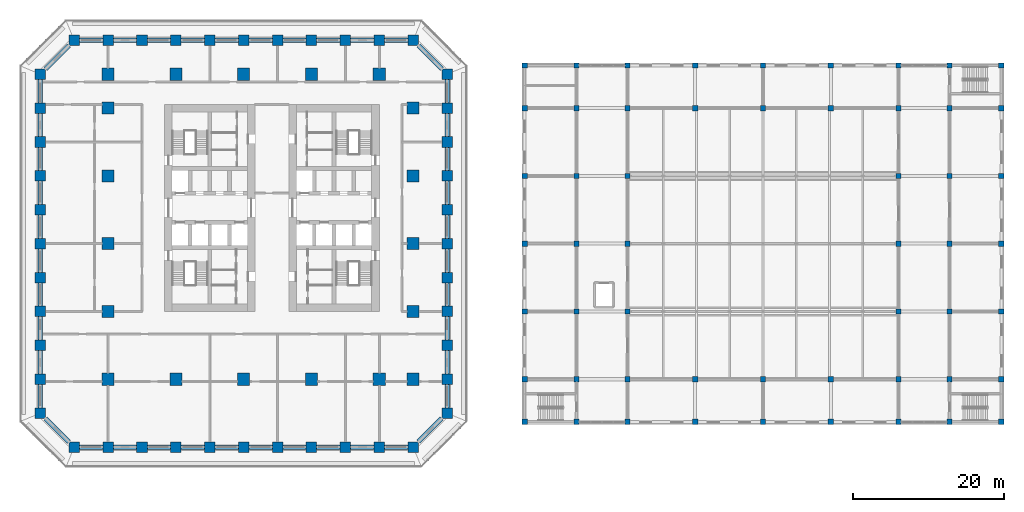
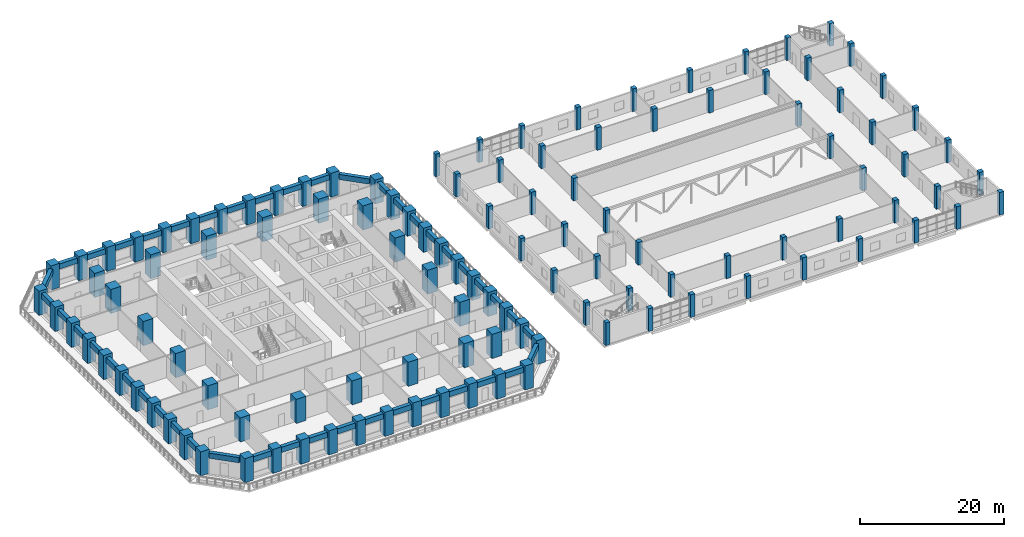
# One storey, part 1 of 42: 117 columns, 44 beams.
"""IFC4 building model written with IfcOpenShell, lengths in metres."""

from ifc_helpers import new_model, si_unit, direction, frame, origin, origin_2d, place, context, subcontext, project, spatial, rectangle, extrude, material, material_profile, profile_set, type_object, element, save


model = new_model("IFC4")

# Units and contexts
model_context = context("Model", 3, precision=1e-05, world=origin(), true_north=direction((0.0, 1.0)))
body_context = subcontext(model_context, "Body", "Model", "MODEL_VIEW")
ifc_project = project(units=[si_unit("LENGTHUNIT", "METRE"), si_unit("AREAUNIT", "SQUARE_METRE"), si_unit("VOLUMEUNIT", "CUBIC_METRE"), si_unit("PLANEANGLEUNIT", "RADIAN"), si_unit("MASSUNIT", "GRAM", prefix="KILO")], contexts=[model_context])

# Site, building, storey
site_placement = place(None, origin())
site = spatial("IfcSite", under=ifc_project, at=site_placement, CompositionType="ELEMENT")
building_placement = place(site_placement, origin())
building = spatial("IfcBuilding", under=site, at=building_placement, Name="Corbel Stack Research Tower", CompositionType="ELEMENT")
storey_placement = place(building_placement, frame((0.0, 0.0, 11.300048828125)))
storey = spatial("IfcBuildingStorey", under=building, at=storey_placement, Name="L02", CompositionType="ELEMENT", Elevation=11.300048828125)

# Columns
ifc_material_1 = material(Name="Concrete C70/85", Category="concrete")
ifc_material_profile_1 = material_profile(ifc_material_1, rectangle(XDim=1.39990234375, YDim=1.39990234375, at=origin_2d()), Name="RC 1400 x 1400")
ifc_profile_set_1 = profile_set([ifc_material_profile_1], Name="Concrete C70/85")
column_type_1 = type_object("IfcColumnType", Name="C-1400-70", PredefinedType="COLUMN", material=ifc_profile_set_1)
for number, where, z_axis, x_axis, name in (
    (1, (-27.0, -22.5, 0.0), (0.0, 0.0, 1.0), (1.0, 0.0, 0.0), "Column 2/C L02"),
    (2, (-27.0, -18.0, 0.0), (0.0, 0.0, 1.0), (1.0, 0.0, 0.0), "Column 2/D L02"),
    (3, (-27.0, -13.5, 0.0), (0.0, 0.0, 1.0), (1.0, 0.0, 0.0), "Column 2/E L02"),
    (4, (-27.0, -9.0, 0.0), (0.0, 0.0, 1.0), (1.0, 0.0, 0.0), "Column 2/F L02"),
    (5, (-27.0, -4.5, 0.0), (0.0, 0.0, 1.0), (1.0, 0.0, 0.0), "Column 2/G L02"),
    (6, (-27.0, 0.0, 0.0), (0.0, 0.0, 1.0), (1.0, 0.0, 0.0), "Column 2/H L02"),
    (7, (-27.0, 4.5, 0.0), (0.0, 0.0, 1.0), (1.0, 0.0, 0.0), "Column 2/J L02"),
    (8, (-27.0, 9.0, 0.0), (0.0, 0.0, 1.0), (1.0, 0.0, 0.0), "Column 2/K L02"),
    (9, (-27.0, 13.5, 0.0), (0.0, 0.0, 1.0), (1.0, 0.0, 0.0), "Column 2/L L02"),
    (10, (-27.0, 18.0, 0.0), (0.0, 0.0, 1.0), (1.0, 0.0, 0.0), "Column 2/M L02"),
    (11, (-27.0, 22.5, 0.0), (0.0, 0.0, 1.0), (1.0, 0.0, 0.0), "Column 2/N L02"),
    (12, (-22.5, -27.0, 0.0), (0.0, 0.0, 1.0), (1.0, 0.0, 0.0), "Column 3/B L02"),
    (13, (-22.5, 27.0, 0.0), (0.0, 0.0, 1.0), (1.0, 0.0, 0.0), "Column 3/P L02"),
    (14, (-18.0, -27.0, 0.0), (0.0, 0.0, 1.0), (1.0, 0.0, 0.0), "Column 4/B L02"),
    (15, (-18.0, 27.0, 0.0), (0.0, 0.0, 1.0), (1.0, 0.0, 0.0), "Column 4/P L02"),
    (16, (-13.5, -27.0, 0.0), (0.0, 0.0, 1.0), (1.0, 0.0, 0.0), "Column 5/B L02"),
    (17, (-13.5, 27.0, 0.0), (0.0, 0.0, 1.0), (1.0, 0.0, 0.0), "Column 5/P L02"),
    (18, (-9.0, -27.0, 0.0), (0.0, 0.0, 1.0), (1.0, 0.0, 0.0), "Column 6/B L02"),
    (19, (-9.0, 27.0, 0.0), (0.0, 0.0, 1.0), (1.0, 0.0, 0.0), "Column 6/P L02"),
    (20, (-4.5, -27.0, 0.0), (0.0, 0.0, 1.0), (1.0, 0.0, 0.0), "Column 7/B L02"),
    (21, (-4.5, 27.0, 0.0), (0.0, 0.0, 1.0), (1.0, 0.0, 0.0), "Column 7/P L02"),
    (22, (0.0, -27.0, 0.0), (0.0, 0.0, 1.0), (1.0, 0.0, 0.0), "Column 8/B L02"),
    (23, (0.0, 27.0, 0.0), (0.0, 0.0, 1.0), (1.0, 0.0, 0.0), "Column 8/P L02"),
    (24, (4.5, -27.0, 0.0), (0.0, 0.0, 1.0), (1.0, 0.0, 0.0), "Column 9/B L02"),
    (25, (4.5, 27.0, 0.0), (0.0, 0.0, 1.0), (1.0, 0.0, 0.0), "Column 9/P L02"),
    (26, (9.0, -27.0, 0.0), (0.0, 0.0, 1.0), (1.0, 0.0, 0.0), "Column 10/B L02"),
    (27, (9.0, 27.0, 0.0), (0.0, 0.0, 1.0), (1.0, 0.0, 0.0), "Column 10/P L02"),
    (28, (13.5, -27.0, 0.0), (0.0, 0.0, 1.0), (1.0, 0.0, 0.0), "Column 11/B L02"),
    (29, (13.5, 27.0, 0.0), (0.0, 0.0, 1.0), (1.0, 0.0, 0.0), "Column 11/P L02"),
    (30, (18.0, -27.0, 0.0), (0.0, 0.0, 1.0), (1.0, 0.0, 0.0), "Column 12/B L02"),
    (31, (18.0, 27.0, 0.0), (0.0, 0.0, 1.0), (1.0, 0.0, 0.0), "Column 12/P L02"),
    (32, (22.5, -27.0, 0.0), (0.0, 0.0, 1.0), (1.0, 0.0, 0.0), "Column 13/B L02"),
    (33, (22.5, 27.0, 0.0), (0.0, 0.0, 1.0), (1.0, 0.0, 0.0), "Column 13/P L02"),
    (34, (27.0, -22.5, 0.0), (0.0, 0.0, 1.0), (1.0, 0.0, 0.0), "Column 14/C L02"),
    (35, (27.0, -18.0, 0.0), (0.0, 0.0, 1.0), (1.0, 0.0, 0.0), "Column 14/D L02"),
    (36, (27.0, -13.5, 0.0), (0.0, 0.0, 1.0), (1.0, 0.0, 0.0), "Column 14/E L02"),
    (37, (27.0, -9.0, 0.0), (0.0, 0.0, 1.0), (1.0, 0.0, 0.0), "Column 14/F L02"),
    (38, (27.0, -4.5, 0.0), (0.0, 0.0, 1.0), (1.0, 0.0, 0.0), "Column 14/G L02"),
    (39, (27.0, 0.0, 0.0), (0.0, 0.0, 1.0), (1.0, 0.0, 0.0), "Column 14/H L02"),
    (40, (27.0, 4.5, 0.0), (0.0, 0.0, 1.0), (1.0, 0.0, 0.0), "Column 14/J L02"),
    (41, (27.0, 9.0, 0.0), (0.0, 0.0, 1.0), (1.0, 0.0, 0.0), "Column 14/K L02"),
    (42, (27.0, 13.5, 0.0), (0.0, 0.0, 1.0), (1.0, 0.0, 0.0), "Column 14/L L02"),
    (43, (27.0, 18.0, 0.0), (0.0, 0.0, 1.0), (1.0, 0.0, 0.0), "Column 14/M L02"),
    (44, (27.0, 22.5, 0.0), (0.0, 0.0, 1.0), (1.0, 0.0, 0.0), "Column 14/N L02"),
):
    element("IfcColumn", number, at=place(storey_placement, frame(where, z_axis=z_axis, x_axis=x_axis)), inside=storey, type_object=column_type_1, Name=name, PredefinedType="COLUMN", context=body_context, shape_type="SweptSolid", body=[
        extrude(rectangle(XDim=1.39990234375, YDim=1.39990234375, at=origin_2d()), origin(), (0.0, 0.0, 1.0), 4.099853515625),
    ])
ifc_material_2 = material(Name="Concrete C70/85", Category="concrete")
ifc_material_profile_2 = material_profile(ifc_material_2, rectangle(XDim=1.60009765625, YDim=1.60009765625, at=origin_2d()), Name="RC 1600 x 1600")
ifc_profile_set_2 = profile_set([ifc_material_profile_2], Name="Concrete C70/85")
column_type_2 = type_object("IfcColumnType", Name="C-1600-70", PredefinedType="COLUMN", material=ifc_profile_set_2)
for number, where, z_axis, x_axis, name in (
    (45, (-18.0, -18.0, 0.0), (0.0, 0.0, 1.0), (1.0, 0.0, 0.0), "Column 4/D L02"),
    (46, (-18.0, -9.0, 0.0), (0.0, 0.0, 1.0), (1.0, 0.0, 0.0), "Column 4/F L02"),
    (47, (-18.0, 0.0, 0.0), (0.0, 0.0, 1.0), (1.0, 0.0, 0.0), "Column 4/H L02"),
    (48, (-18.0, 9.0, 0.0), (0.0, 0.0, 1.0), (1.0, 0.0, 0.0), "Column 4/K L02"),
    (49, (-18.0, 18.0, 0.0), (0.0, 0.0, 1.0), (1.0, 0.0, 0.0), "Column 4/M L02"),
    (50, (-18.0, 22.5, 0.0), (0.0, 0.0, 1.0), (1.0, 0.0, 0.0), "Column 4/N L02"),
    (51, (-9.0, -18.0, 0.0), (0.0, 0.0, 1.0), (1.0, 0.0, 0.0), "Column 6/D L02"),
    (52, (-9.0, 22.5, 0.0), (0.0, 0.0, 1.0), (1.0, 0.0, 0.0), "Column 6/N L02"),
    (53, (0.0, -18.0, 0.0), (0.0, 0.0, 1.0), (1.0, 0.0, 0.0), "Column 8/D L02"),
    (54, (0.0, 22.5, 0.0), (0.0, 0.0, 1.0), (1.0, 0.0, 0.0), "Column 8/N L02"),
    (55, (9.0, -18.0, 0.0), (0.0, 0.0, 1.0), (1.0, 0.0, 0.0), "Column 10/D L02"),
    (56, (9.0, 22.5, 0.0), (0.0, 0.0, 1.0), (1.0, 0.0, 0.0), "Column 10/N L02"),
    (57, (18.0, -18.0, 0.0), (0.0, 0.0, 1.0), (1.0, 0.0, 0.0), "Column 12/D L02"),
    (58, (18.0, 22.5, 0.0), (0.0, 0.0, 1.0), (1.0, 0.0, 0.0), "Column 12/N L02"),
    (59, (22.5, -18.0, 0.0), (0.0, 0.0, 1.0), (1.0, 0.0, 0.0), "Column 13/D L02"),
    (60, (22.5, -9.0, 0.0), (0.0, 0.0, 1.0), (1.0, 0.0, 0.0), "Column 13/F L02"),
    (61, (22.5, 0.0, 0.0), (0.0, 0.0, 1.0), (1.0, 0.0, 0.0), "Column 13/H L02"),
    (62, (22.5, 9.0, 0.0), (0.0, 0.0, 1.0), (1.0, 0.0, 0.0), "Column 13/K L02"),
    (63, (22.5, 18.0, 0.0), (0.0, 0.0, 1.0), (1.0, 0.0, 0.0), "Column 13/M L02"),
):
    element("IfcColumn", number, at=place(storey_placement, frame(where, z_axis=z_axis, x_axis=x_axis)), inside=storey, type_object=column_type_2, Name=name, PredefinedType="COLUMN", context=body_context, shape_type="SweptSolid", body=[
        extrude(rectangle(XDim=1.60009765625, YDim=1.60009765625, at=origin_2d()), origin(), (0.0, 0.0, 1.0), 4.099853515625),
    ])
ifc_material_3 = material(Name="Concrete C50/60", Category="concrete")
ifc_material_profile_3 = material_profile(ifc_material_3, rectangle(XDim=0.699951171875, YDim=0.699951171875, at=origin_2d()), Name="RC 700 x 700")
ifc_profile_set_3 = profile_set([ifc_material_profile_3], Name="Concrete C50/60")
column_type_3 = type_object("IfcColumnType", Name="HC1 RC column 700 x 700", PredefinedType="COLUMN", material=ifc_profile_set_3)
for number, where, z_axis, x_axis, name in (
    (64, (37.300048828125, -23.64990234375, 0.0), (0.0, 0.0, 1.0), (1.0, 0.0, 0.0), "Column H1/HA L02"),
    (65, (37.300048828125, -18.0, 0.0), (0.0, 0.0, 1.0), (1.0, 0.0, 0.0), "Column H1/HB L02"),
    (66, (37.300048828125, -9.0, 0.0), (0.0, 0.0, 1.0), (1.0, 0.0, 0.0), "Column H1/HC L02"),
    (67, (37.300048828125, 0.0, 0.0), (0.0, 0.0, 1.0), (1.0, 0.0, 0.0), "Column H1/HD L02"),
    (68, (37.300048828125, 9.0, 0.0), (0.0, 0.0, 1.0), (1.0, 0.0, 0.0), "Column H1/HE L02"),
    (69, (37.300048828125, 18.0, 0.0), (0.0, 0.0, 1.0), (1.0, 0.0, 0.0), "Column H1/HF L02"),
    (70, (37.300048828125, 23.64990234375, 0.0), (0.0, 0.0, 1.0), (1.0, 0.0, 0.0), "Column H1/HG L02"),
    (71, (44.199951171875, -23.64990234375, 0.0), (0.0, 0.0, 1.0), (1.0, 0.0, 0.0), "Column H2/HA L02"),
    (72, (44.199951171875, -18.0, 0.0), (0.0, 0.0, 1.0), (1.0, 0.0, 0.0), "Column H2/HB L02"),
    (73, (44.199951171875, -9.0, 0.0), (0.0, 0.0, 1.0), (1.0, 0.0, 0.0), "Column H2/HC L02"),
    (74, (44.199951171875, 0.0, 0.0), (0.0, 0.0, 1.0), (1.0, 0.0, 0.0), "Column H2/HD L02"),
    (75, (44.199951171875, 9.0, 0.0), (0.0, 0.0, 1.0), (1.0, 0.0, 0.0), "Column H2/HE L02"),
    (76, (44.199951171875, 18.0, 0.0), (0.0, 0.0, 1.0), (1.0, 0.0, 0.0), "Column H2/HF L02"),
    (77, (44.199951171875, 23.64990234375, 0.0), (0.0, 0.0, 1.0), (1.0, 0.0, 0.0), "Column H2/HG L02"),
    (78, (50.949951171875, -23.64990234375, 0.0), (0.0, 0.0, 1.0), (1.0, 0.0, 0.0), "Column H3/HA L02"),
    (79, (50.949951171875, -18.0, 0.0), (0.0, 0.0, 1.0), (1.0, 0.0, 0.0), "Column H3/HB L02"),
    (80, (50.949951171875, -9.0, 0.0), (0.0, 0.0, 1.0), (1.0, 0.0, 0.0), "Column H3/HC L02"),
    (81, (50.949951171875, 0.0, 0.0), (0.0, 0.0, 1.0), (1.0, 0.0, 0.0), "Column H3/HD L02"),
    (82, (50.949951171875, 9.0, 0.0), (0.0, 0.0, 1.0), (1.0, 0.0, 0.0), "Column H3/HE L02"),
    (83, (50.949951171875, 18.0, 0.0), (0.0, 0.0, 1.0), (1.0, 0.0, 0.0), "Column H3/HF L02"),
    (84, (50.949951171875, 23.64990234375, 0.0), (0.0, 0.0, 1.0), (1.0, 0.0, 0.0), "Column H3/HG L02"),
    (85, (59.949951171875, -23.64990234375, 0.0), (0.0, 0.0, 1.0), (1.0, 0.0, 0.0), "Column H4/HA L02"),
    (86, (59.949951171875, -18.0, 0.0), (0.0, 0.0, 1.0), (1.0, 0.0, 0.0), "Column H4/HB L02"),
    (87, (59.949951171875, 18.0, 0.0), (0.0, 0.0, 1.0), (1.0, 0.0, 0.0), "Column H4/HF L02"),
    (88, (59.949951171875, 23.64990234375, 0.0), (0.0, 0.0, 1.0), (1.0, 0.0, 0.0), "Column H4/HG L02"),
    (89, (68.949951171875, -23.64990234375, 0.0), (0.0, 0.0, 1.0), (1.0, 0.0, 0.0), "Column H5/HA L02"),
    (90, (68.949951171875, -18.0, 0.0), (0.0, 0.0, 1.0), (1.0, 0.0, 0.0), "Column H5/HB L02"),
    (91, (68.949951171875, 18.0, 0.0), (0.0, 0.0, 1.0), (1.0, 0.0, 0.0), "Column H5/HF L02"),
    (92, (68.949951171875, 23.64990234375, 0.0), (0.0, 0.0, 1.0), (1.0, 0.0, 0.0), "Column H5/HG L02"),
    (93, (77.949951171875, -23.64990234375, 0.0), (0.0, 0.0, 1.0), (1.0, 0.0, 0.0), "Column H6/HA L02"),
    (94, (77.949951171875, -18.0, 0.0), (0.0, 0.0, 1.0), (1.0, 0.0, 0.0), "Column H6/HB L02"),
    (95, (77.949951171875, 18.0, 0.0), (0.0, 0.0, 1.0), (1.0, 0.0, 0.0), "Column H6/HF L02"),
    (96, (77.949951171875, 23.64990234375, 0.0), (0.0, 0.0, 1.0), (1.0, 0.0, 0.0), "Column H6/HG L02"),
    (97, (86.949951171875, -23.64990234375, 0.0), (0.0, 0.0, 1.0), (1.0, 0.0, 0.0), "Column H7/HA L02"),
    (98, (86.949951171875, -18.0, 0.0), (0.0, 0.0, 1.0), (1.0, 0.0, 0.0), "Column H7/HB L02"),
    (99, (86.949951171875, -9.0, 0.0), (0.0, 0.0, 1.0), (1.0, 0.0, 0.0), "Column H7/HC L02"),
    (100, (86.949951171875, 0.0, 0.0), (0.0, 0.0, 1.0), (1.0, 0.0, 0.0), "Column H7/HD L02"),
    (101, (86.949951171875, 9.0, 0.0), (0.0, 0.0, 1.0), (1.0, 0.0, 0.0), "Column H7/HE L02"),
    (102, (86.949951171875, 18.0, 0.0), (0.0, 0.0, 1.0), (1.0, 0.0, 0.0), "Column H7/HF L02"),
    (103, (86.949951171875, 23.64990234375, 0.0), (0.0, 0.0, 1.0), (1.0, 0.0, 0.0), "Column H7/HG L02"),
    (104, (93.699951171875, -23.64990234375, 0.0), (0.0, 0.0, 1.0), (1.0, 0.0, 0.0), "Column H8/HA L02"),
    (105, (93.699951171875, -18.0, 0.0), (0.0, 0.0, 1.0), (1.0, 0.0, 0.0), "Column H8/HB L02"),
    (106, (93.699951171875, -9.0, 0.0), (0.0, 0.0, 1.0), (1.0, 0.0, 0.0), "Column H8/HC L02"),
    (107, (93.699951171875, 0.0, 0.0), (0.0, 0.0, 1.0), (1.0, 0.0, 0.0), "Column H8/HD L02"),
    (108, (93.699951171875, 9.0, 0.0), (0.0, 0.0, 1.0), (1.0, 0.0, 0.0), "Column H8/HE L02"),
    (109, (93.699951171875, 18.0, 0.0), (0.0, 0.0, 1.0), (1.0, 0.0, 0.0), "Column H8/HF L02"),
    (110, (93.699951171875, 23.64990234375, 0.0), (0.0, 0.0, 1.0), (1.0, 0.0, 0.0), "Column H8/HG L02"),
    (111, (100.60009765625, -23.64990234375, 0.0), (0.0, 0.0, 1.0), (1.0, 0.0, 0.0), "Column H9/HA L02"),
    (112, (100.60009765625, -18.0, 0.0), (0.0, 0.0, 1.0), (1.0, 0.0, 0.0), "Column H9/HB L02"),
    (113, (100.60009765625, -9.0, 0.0), (0.0, 0.0, 1.0), (1.0, 0.0, 0.0), "Column H9/HC L02"),
    (114, (100.60009765625, 0.0, 0.0), (0.0, 0.0, 1.0), (1.0, 0.0, 0.0), "Column H9/HD L02"),
    (115, (100.60009765625, 9.0, 0.0), (0.0, 0.0, 1.0), (1.0, 0.0, 0.0), "Column H9/HE L02"),
    (116, (100.60009765625, 18.0, 0.0), (0.0, 0.0, 1.0), (1.0, 0.0, 0.0), "Column H9/HF L02"),
    (117, (100.60009765625, 23.64990234375, 0.0), (0.0, 0.0, 1.0), (1.0, 0.0, 0.0), "Column H9/HG L02"),
):
    element("IfcColumn", number, at=place(storey_placement, frame(where, z_axis=z_axis, x_axis=x_axis)), inside=storey, type_object=column_type_3, Name=name, PredefinedType="COLUMN", context=body_context, shape_type="SweptSolid", body=[
        extrude(rectangle(XDim=0.699951171875, YDim=0.699951171875, at=origin_2d()), origin(), (0.0, 0.0, 1.0), 3.849853515625),
    ])

# Beams
ifc_material_4 = material(Name="Concrete C60/75", Category="concrete")
ifc_material_profile_4 = material_profile(ifc_material_4, rectangle(XDim=0.60009765625, YDim=0.89990234375, at=origin_2d()), Name="RC 600 x 900")
ifc_profile_set_4 = profile_set([ifc_material_profile_4], Name="Concrete C60/75")
beam_type = type_object("IfcBeamType", Name="SB-600-900-450", PredefinedType="SPANDREL", material=ifc_profile_set_4)
for number, where, z_axis, x_axis, name in (
    (118, (-21.800048828125, -27.0, 3.199951171875), (1.0, 0.0, 0.0), (0.0, 1.0, 0.0), "Spandrel beam L02-01"),
    (119, (-17.300048828125, -27.0, 3.199951171875), (1.0, 0.0, 0.0), (0.0, 1.0, 0.0), "Spandrel beam L02-02"),
    (120, (-12.800048828125, -27.0, 3.199951171875), (1.0, 0.0, 0.0), (0.0, 1.0, 0.0), "Spandrel beam L02-03"),
    (121, (-8.300048828125, -27.0, 3.199951171875), (1.0, 0.0, 0.0), (0.0, 1.0, 0.0), "Spandrel beam L02-04"),
    (122, (-3.800048828125, -27.0, 3.199951171875), (1.0, 0.0, 0.0), (0.0, 1.0, 0.0), "Spandrel beam L02-05"),
    (123, (0.699951171875, -27.0, 3.199951171875), (1.0, 0.0, 0.0), (0.0, 1.0, 0.0), "Spandrel beam L02-06"),
    (124, (5.199951171875, -27.0, 3.199951171875), (1.0, 0.0, 0.0), (0.0, 1.0, 0.0), "Spandrel beam L02-07"),
    (125, (9.699951171875, -27.0, 3.199951171875), (1.0, 0.0, 0.0), (0.0, 1.0, 0.0), "Spandrel beam L02-08"),
    (126, (14.199951171875, -27.0, 3.199951171875), (1.0, 0.0, 0.0), (0.0, 1.0, 0.0), "Spandrel beam L02-09"),
    (127, (18.699951171875, -27.0, 3.199951171875), (1.0, 0.0, 0.0), (0.0, 1.0, 0.0), "Spandrel beam L02-10"),
):
    element("IfcBeam", number, at=place(storey_placement, frame(where, z_axis=z_axis, x_axis=x_axis)), inside=storey, type_object=beam_type, Name=name, PredefinedType="SPANDREL", context=body_context, shape_type="SweptSolid", body=[
        extrude(rectangle(XDim=0.60009765625, YDim=0.89990234375, at=origin_2d()), origin(), (0.0, 0.0, 1.0), 3.10009765625),
    ])
beam_1_placement = place(storey_placement, frame((23.199951171875, -26.300048828125, 3.199951171875), z_axis=(0.707106781187, 0.707106781187, 0.0), x_axis=(-0.707106781187, 0.707106781187, 0.0)))
element("IfcBeam", 128, at=beam_1_placement, inside=storey, type_object=beam_type, Name="Spandrel beam L02-11", PredefinedType="SPANDREL", context=body_context, shape_type="SweptSolid", body=[
    extrude(rectangle(XDim=0.60009765625, YDim=0.89990234375, at=origin_2d()), origin(), (0.0, 0.0, 1.0), 4.38427734375),
])
for number, where, z_axis, x_axis, name in (
    (129, (27.0, -21.800048828125, 3.199951171875), (0.0, 1.0, 0.0), (-1.0, 0.0, 0.0), "Spandrel beam L02-12"),
    (130, (27.0, -17.300048828125, 3.199951171875), (0.0, 1.0, 0.0), (-1.0, 0.0, 0.0), "Spandrel beam L02-13"),
    (131, (27.0, -12.800048828125, 3.199951171875), (0.0, 1.0, 0.0), (-1.0, 0.0, 0.0), "Spandrel beam L02-14"),
    (132, (27.0, -8.300048828125, 3.199951171875), (0.0, 1.0, 0.0), (-1.0, 0.0, 0.0), "Spandrel beam L02-15"),
    (133, (27.0, -3.800048828125, 3.199951171875), (0.0, 1.0, 0.0), (-1.0, 0.0, 0.0), "Spandrel beam L02-16"),
    (134, (27.0, 0.699951171875, 3.199951171875), (0.0, 1.0, 0.0), (-1.0, 0.0, 0.0), "Spandrel beam L02-17"),
    (135, (27.0, 5.199951171875, 3.199951171875), (0.0, 1.0, 0.0), (-1.0, 0.0, 0.0), "Spandrel beam L02-18"),
    (136, (27.0, 9.699951171875, 3.199951171875), (0.0, 1.0, 0.0), (-1.0, 0.0, 0.0), "Spandrel beam L02-19"),
    (137, (27.0, 14.199951171875, 3.199951171875), (0.0, 1.0, 0.0), (-1.0, 0.0, 0.0), "Spandrel beam L02-20"),
    (138, (27.0, 18.699951171875, 3.199951171875), (0.0, 1.0, 0.0), (-1.0, 0.0, 0.0), "Spandrel beam L02-21"),
):
    element("IfcBeam", number, at=place(storey_placement, frame(where, z_axis=z_axis, x_axis=x_axis)), inside=storey, type_object=beam_type, Name=name, PredefinedType="SPANDREL", context=body_context, shape_type="SweptSolid", body=[
        extrude(rectangle(XDim=0.60009765625, YDim=0.89990234375, at=origin_2d()), origin(), (0.0, 0.0, 1.0), 3.10009765625),
    ])
beam_2_placement = place(storey_placement, frame((26.300048828125, 23.199951171875, 3.199951171875), z_axis=(-0.707106781187, 0.707106781187, 0.0), x_axis=(-0.707106781187, -0.707106781187, 0.0)))
element("IfcBeam", 139, at=beam_2_placement, inside=storey, type_object=beam_type, Name="Spandrel beam L02-22", PredefinedType="SPANDREL", context=body_context, shape_type="SweptSolid", body=[
    extrude(rectangle(XDim=0.60009765625, YDim=0.89990234375, at=origin_2d()), origin(), (0.0, 0.0, 1.0), 4.38427734375),
])
for number, where, z_axis, x_axis, name in (
    (140, (21.800048828125, 27.0, 3.199951171875), (-1.0, 0.0, 0.0), (0.0, -1.0, 0.0), "Spandrel beam L02-23"),
    (141, (17.300048828125, 27.0, 3.199951171875), (-1.0, 0.0, 0.0), (0.0, -1.0, 0.0), "Spandrel beam L02-24"),
    (142, (12.800048828125, 27.0, 3.199951171875), (-1.0, 0.0, 0.0), (0.0, -1.0, 0.0), "Spandrel beam L02-25"),
    (143, (8.300048828125, 27.0, 3.199951171875), (-1.0, 0.0, 0.0), (0.0, -1.0, 0.0), "Spandrel beam L02-26"),
    (144, (3.800048828125, 27.0, 3.199951171875), (-1.0, 0.0, 0.0), (0.0, -1.0, 0.0), "Spandrel beam L02-27"),
    (145, (-0.699951171875, 27.0, 3.199951171875), (-1.0, 0.0, 0.0), (0.0, -1.0, 0.0), "Spandrel beam L02-28"),
    (146, (-5.199951171875, 27.0, 3.199951171875), (-1.0, 0.0, 0.0), (0.0, -1.0, 0.0), "Spandrel beam L02-29"),
    (147, (-9.699951171875, 27.0, 3.199951171875), (-1.0, 0.0, 0.0), (0.0, -1.0, 0.0), "Spandrel beam L02-30"),
    (148, (-14.199951171875, 27.0, 3.199951171875), (-1.0, 0.0, 0.0), (0.0, -1.0, 0.0), "Spandrel beam L02-31"),
    (149, (-18.699951171875, 27.0, 3.199951171875), (-1.0, 0.0, 0.0), (0.0, -1.0, 0.0), "Spandrel beam L02-32"),
):
    element("IfcBeam", number, at=place(storey_placement, frame(where, z_axis=z_axis, x_axis=x_axis)), inside=storey, type_object=beam_type, Name=name, PredefinedType="SPANDREL", context=body_context, shape_type="SweptSolid", body=[
        extrude(rectangle(XDim=0.60009765625, YDim=0.89990234375, at=origin_2d()), origin(), (0.0, 0.0, 1.0), 3.10009765625),
    ])
beam_3_placement = place(storey_placement, frame((-23.199951171875, 26.300048828125, 3.199951171875), z_axis=(-0.707106781187, -0.707106781187, 0.0), x_axis=(0.707106781187, -0.707106781187, 0.0)))
element("IfcBeam", 150, at=beam_3_placement, inside=storey, type_object=beam_type, Name="Spandrel beam L02-33", PredefinedType="SPANDREL", context=body_context, shape_type="SweptSolid", body=[
    extrude(rectangle(XDim=0.60009765625, YDim=0.89990234375, at=origin_2d()), origin(), (0.0, 0.0, 1.0), 4.38427734375),
])
for number, where, z_axis, x_axis, name in (
    (151, (-27.0, 21.800048828125, 3.199951171875), (0.0, -1.0, 0.0), (1.0, 0.0, 0.0), "Spandrel beam L02-34"),
    (152, (-27.0, 17.300048828125, 3.199951171875), (0.0, -1.0, 0.0), (1.0, 0.0, 0.0), "Spandrel beam L02-35"),
    (153, (-27.0, 12.800048828125, 3.199951171875), (0.0, -1.0, 0.0), (1.0, 0.0, 0.0), "Spandrel beam L02-36"),
    (154, (-27.0, 8.300048828125, 3.199951171875), (0.0, -1.0, 0.0), (1.0, 0.0, 0.0), "Spandrel beam L02-37"),
    (155, (-27.0, 3.800048828125, 3.199951171875), (0.0, -1.0, 0.0), (1.0, 0.0, 0.0), "Spandrel beam L02-38"),
    (156, (-27.0, -0.699951171875, 3.199951171875), (0.0, -1.0, 0.0), (1.0, 0.0, 0.0), "Spandrel beam L02-39"),
    (157, (-27.0, -5.199951171875, 3.199951171875), (0.0, -1.0, 0.0), (1.0, 0.0, 0.0), "Spandrel beam L02-40"),
    (158, (-27.0, -9.699951171875, 3.199951171875), (0.0, -1.0, 0.0), (1.0, 0.0, 0.0), "Spandrel beam L02-41"),
    (159, (-27.0, -14.199951171875, 3.199951171875), (0.0, -1.0, 0.0), (1.0, 0.0, 0.0), "Spandrel beam L02-42"),
    (160, (-27.0, -18.699951171875, 3.199951171875), (0.0, -1.0, 0.0), (1.0, 0.0, 0.0), "Spandrel beam L02-43"),
):
    element("IfcBeam", number, at=place(storey_placement, frame(where, z_axis=z_axis, x_axis=x_axis)), inside=storey, type_object=beam_type, Name=name, PredefinedType="SPANDREL", context=body_context, shape_type="SweptSolid", body=[
        extrude(rectangle(XDim=0.60009765625, YDim=0.89990234375, at=origin_2d()), origin(), (0.0, 0.0, 1.0), 3.10009765625),
    ])
beam_4_placement = place(storey_placement, frame((-26.300048828125, -23.199951171875, 3.199951171875), z_axis=(0.707106781187, -0.707106781187, 0.0), x_axis=(0.707106781187, 0.707106781187, 0.0)))
element("IfcBeam", 161, at=beam_4_placement, inside=storey, type_object=beam_type, Name="Spandrel beam L02-44", PredefinedType="SPANDREL", context=body_context, shape_type="SweptSolid", body=[
    extrude(rectangle(XDim=0.60009765625, YDim=0.89990234375, at=origin_2d()), origin(), (0.0, 0.0, 1.0), 4.38427734375),
])

save(model, "model.ifc")
